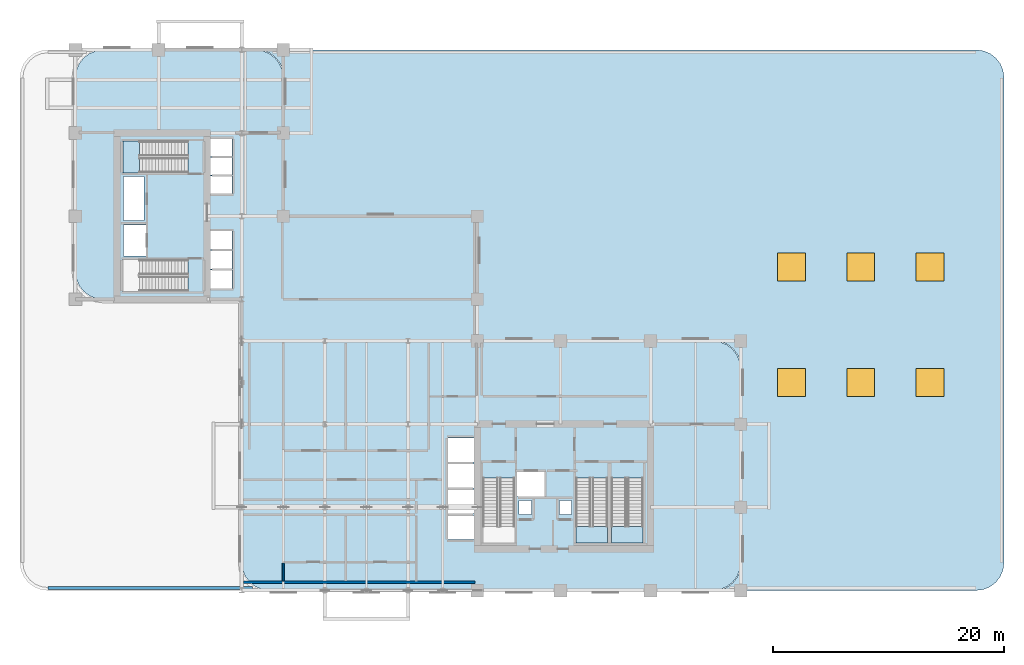
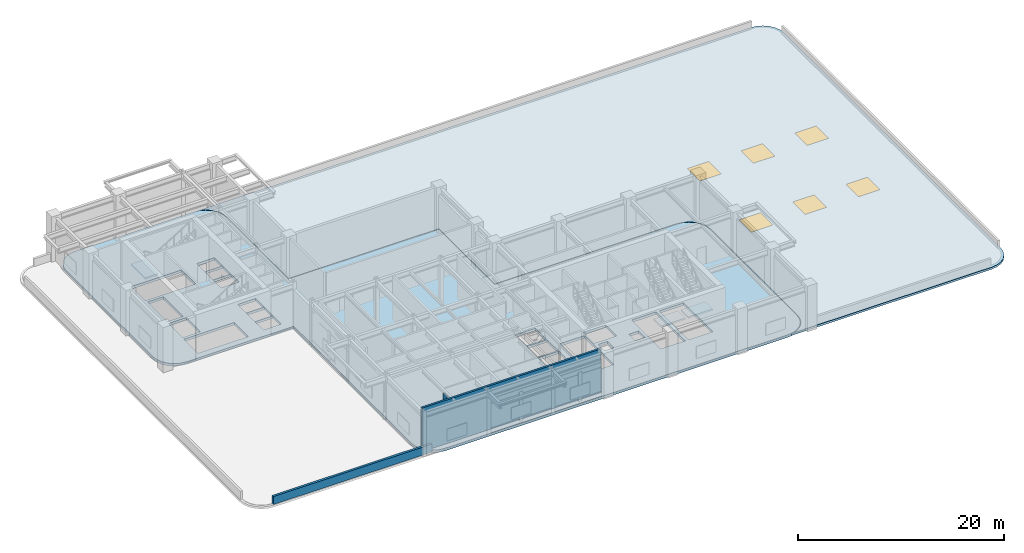
# One storey, part 5 of 14: 6 windows, 5 slabs, 3 walls, 6 openings, 3 elements without a shape of their own.
"""IFC4 building model written with IfcOpenShell, lengths in metres."""

from ifc_helpers import new_model, si_unit, derived_unit, direction, frame, frame_2d, origin, origin_2d, place, context, subcontext, project, spatial, polyline, rectangle, outline, extrude, material, layer, layer_set, type_object, element, fill, aggregate, save


model = new_model("IFC4")

# Units and contexts
model_context = context("Model", 3, precision=1e-05, world=origin(), true_north=direction((0.0, 1.0)))
body_context = subcontext(model_context, "Body", "Model", "MODEL_VIEW")
ifc_project = project(units=[si_unit("LENGTHUNIT", "METRE"), si_unit("AREAUNIT", "SQUARE_METRE"), si_unit("VOLUMEUNIT", "CUBIC_METRE"), si_unit("PLANEANGLEUNIT", "RADIAN"), si_unit("MASSUNIT", "GRAM", prefix="KILO"), si_unit("THERMODYNAMICTEMPERATUREUNIT", "KELVIN"), si_unit("POWERUNIT", "WATT"), derived_unit("THERMALTRANSMITTANCEUNIT", [(si_unit("POWERUNIT", "WATT"), 1), (si_unit("AREAUNIT", "SQUARE_METRE"), -1), (si_unit("THERMODYNAMICTEMPERATUREUNIT", "KELVIN"), -1)])], contexts=[model_context])

# Site, building, storey
site_placement = place(None, origin())
site = spatial("IfcSite", under=ifc_project, at=site_placement, CompositionType="ELEMENT")
building_placement = place(site_placement, origin())
building = spatial("IfcBuilding", under=site, at=building_placement, Name="Zahravan Archway Hotel and Residences", CompositionType="ELEMENT")
storey_placement = place(building_placement, frame((0.0, 0.0, 27.0)))
storey = spatial("IfcBuildingStorey", under=building, at=storey_placement, Name="L05", CompositionType="ELEMENT", Elevation=27.0)

# Slab
ifc_material_1 = material(Name="Concrete C50/60", Category="concrete")
ifc_layer_1 = layer(ifc_material_1, 0.300048828125, Name="Concrete C50/60", Category="concrete")
ifc_layer_set_1 = layer_set([ifc_layer_1], Name="Concrete C50/60")
slab_type_1 = type_object("IfcSlabType", Name="SLB-FLR-300", PredefinedType="FLOOR", material=ifc_layer_set_1)
slab_1_placement = place(storey_placement, frame((0.0, 0.0, -0.300048828125)))
element("IfcSlab", 1, at=slab_1_placement, inside=storey, type_object=slab_type_1, Name="L05 Floor Slab LB", PredefinedType="FLOOR", context=body_context, shape_type="SweptSolid", body=[
    extrude(outline(polyline([(34.800048828125, 21.60009765625), (34.800048828125, 32.39990234375), (18.0, 32.39990234375), (18.0, 44.39990234375), (17.918212890625, 45.021240234375), (17.678466796875, 45.60009765625), (17.297119140625, 46.09716796875), (16.800048828125, 46.478515625), (16.22119140625, 46.71826171875), (15.60009765625, 46.800048828125), (2.39990234375, 46.800048828125), (1.77880859375, 46.71826171875), (1.199951171875, 46.478515625), (0.702880859375, 46.09716796875), (0.321533203125, 45.60009765625), (0.081787109375, 45.021240234375), (0.0, 44.39990234375), (0.0, 27.60009765625), (0.081787109375, 26.978759765625), (0.321533203125, 26.39990234375), (0.702880859375, 25.90283203125), (1.199951171875, 25.521484375), (1.77880859375, 25.28173828125), (2.39990234375, 25.199951171875), (14.39990234375, 25.199951171875), (14.39990234375, 19.199951171875), (14.39990234375, 19.10009765625), (14.39990234375, 2.39990234375), (14.481689453125, 1.77880859375), (14.721435546875, 1.199951171875), (15.102783203125, 0.702880859375), (15.60009765625, 0.321533203125), (16.1787109375, 0.081787109375), (16.800048828125, 0.0), (55.199951171875, 0.0), (55.8212890625, 0.081787109375), (56.39990234375, 0.321533203125), (56.897216796875, 0.702880859375), (57.278564453125, 1.199951171875), (57.518310546875, 1.77880859375), (57.60009765625, 2.39990234375), (57.60009765625, 19.199951171875), (57.518310546875, 19.8212890625), (57.278564453125, 20.39990234375), (56.897216796875, 20.897216796875), (56.39990234375, 21.278564453125), (55.8212890625, 21.518310546875), (55.199951171875, 21.60009765625), (34.800048828125, 21.60009765625)]), holes=[polyline([(35.300048828125, 9.72998046875), (35.300048828125, 4.10009765625), (38.0400390625, 4.10009765625), (38.0400390625, 9.72998046875), (35.300048828125, 9.72998046875)]), polyline([(43.320068359375, 9.72998046875), (43.320068359375, 4.10009765625), (46.06005859375, 4.10009765625), (46.06005859375, 9.72998046875), (43.320068359375, 9.72998046875)]), polyline([(46.39990234375, 9.72998046875), (46.39990234375, 4.10009765625), (49.139892578125, 4.10009765625), (49.139892578125, 9.72998046875), (46.39990234375, 9.72998046875)]), polyline([(9.72998046875, 28.639892578125), (4.10009765625, 28.639892578125), (4.10009765625, 25.89990234375), (9.72998046875, 25.89990234375), (9.72998046875, 28.639892578125)]), polyline([(9.72998046875, 38.89990234375), (4.10009765625, 38.89990234375), (4.10009765625, 36.159912109375), (9.72998046875, 36.159912109375), (9.72998046875, 38.89990234375)]), polyline([(38.179931640625, 8.14990234375), (40.699951171875, 8.14990234375), (40.699951171875, 10.25), (38.179931640625, 10.25), (38.179931640625, 8.14990234375)]), polyline([(4.14990234375, 28.949951171875), (6.10009765625, 28.949951171875), (6.10009765625, 31.64990234375), (4.14990234375, 31.64990234375), (4.14990234375, 28.949951171875)]), polyline([(11.550048828125, 26.14990234375), (13.550048828125, 26.14990234375), (13.550048828125, 27.75), (11.550048828125, 27.75), (11.550048828125, 26.14990234375)]), polyline([(11.550048828125, 27.830078125), (13.550048828125, 27.830078125), (13.550048828125, 29.429931640625), (11.550048828125, 29.429931640625), (11.550048828125, 27.830078125)]), polyline([(11.550048828125, 29.510009765625), (13.550048828125, 29.510009765625), (13.550048828125, 31.110107421875), (11.550048828125, 31.110107421875), (11.550048828125, 29.510009765625)]), polyline([(11.550048828125, 34.35009765625), (13.550048828125, 34.35009765625), (13.550048828125, 35.889892578125), (11.550048828125, 35.889892578125), (11.550048828125, 34.35009765625)]), polyline([(11.550048828125, 35.949951171875), (13.550048828125, 35.949951171875), (13.550048828125, 37.489990234375), (11.550048828125, 37.489990234375), (11.550048828125, 35.949951171875)]), polyline([(11.550048828125, 37.550048828125), (13.550048828125, 37.550048828125), (13.550048828125, 39.090087890625), (11.550048828125, 39.090087890625), (11.550048828125, 37.550048828125)]), polyline([(32.25, 4.39990234375), (34.550048828125, 4.39990234375), (34.550048828125, 6.47998046875), (32.25, 6.47998046875), (32.25, 4.39990234375)]), polyline([(32.25, 6.639892578125), (34.550048828125, 6.639892578125), (34.550048828125, 8.719970703125), (32.25, 8.719970703125), (32.25, 6.639892578125)]), polyline([(32.25, 8.8798828125), (34.550048828125, 8.8798828125), (34.550048828125, 10.9599609375), (32.25, 10.9599609375), (32.25, 8.8798828125)]), polyline([(32.25, 11.1201171875), (34.550048828125, 11.1201171875), (34.550048828125, 13.199951171875), (32.25, 13.199951171875), (32.25, 11.1201171875)]), polyline([(38.419921875, 6.56005859375), (39.5, 6.56005859375), (39.5, 7.780029296875), (38.419921875, 7.780029296875), (38.419921875, 6.56005859375)]), polyline([(41.89990234375, 6.56005859375), (42.9599609375, 6.56005859375), (42.9599609375, 7.780029296875), (41.89990234375, 7.780029296875), (41.89990234375, 6.56005859375)]), polyline([(4.179931640625, 32.050048828125), (5.93994140625, 32.050048828125), (5.93994140625, 35.840087890625), (4.179931640625, 35.840087890625), (4.179931640625, 32.050048828125)])]), origin(), (0.0, 0.0, 1.0), 0.300048828125),
])

# Stair, slab
stair_type = type_object("IfcStairType", Name="STR-CORE-1300", PredefinedType="HALF_TURN_STAIR", material=ifc_material_1)
stair_1_placement = place(storey_placement, origin())
stair_1 = element("IfcStair", 2, at=stair_1_placement, inside=storey, type_object=stair_type, Name="L05 Core A Exit Stair 2", PredefinedType="HALF_TURN_STAIR")
ifc_layer_2 = layer(ifc_material_1, 0.199951171875, Name="Concrete C50/60", Category="concrete")
ifc_layer_set_2 = layer_set([ifc_layer_2], Name="Concrete C50/60")
slab_type_2 = type_object("IfcSlabType", Name="SLB-LND-200", PredefinedType="LANDING", material=ifc_layer_set_2)
slab_2_placement = place(storey_placement, frame((0.0, 0.0, 2.5)))
slab_2 = element("IfcSlab", 3, at=slab_2_placement, type_object=slab_type_2, Name="ST-A2 landing 1", PredefinedType="LANDING", context=body_context, shape_type="SweptSolid", body=[
    extrude(outline(polyline([(43.320068359375, 5.530029296875), (43.320068359375, 4.10009765625), (46.06005859375, 4.10009765625), (46.06005859375, 5.530029296875), (43.320068359375, 5.530029296875)])), origin(), (0.0, 0.0, 1.0), 0.199951171875),
])
aggregate(stair_1, [slab_2])

stair_2_placement = place(storey_placement, origin())
stair_2 = element("IfcStair", 4, at=stair_2_placement, inside=storey, type_object=stair_type, Name="L05 Core A Exit Stair 3", PredefinedType="HALF_TURN_STAIR")
slab_3_placement = place(storey_placement, frame((0.0, 0.0, 2.5)))
slab_3 = element("IfcSlab", 5, at=slab_3_placement, type_object=slab_type_2, Name="ST-A3 landing 1", PredefinedType="LANDING", context=body_context, shape_type="SweptSolid", body=[
    extrude(outline(polyline([(46.39990234375, 5.530029296875), (46.39990234375, 4.10009765625), (49.139892578125, 4.10009765625), (49.139892578125, 5.530029296875), (46.39990234375, 5.530029296875)])), origin(), (0.0, 0.0, 1.0), 0.199951171875),
])
aggregate(stair_2, [slab_3])

stair_3_placement = place(storey_placement, origin())
stair_3 = element("IfcStair", 6, at=stair_3_placement, inside=storey, type_object=stair_type, Name="L05 Core B Exit Stair 2", PredefinedType="HALF_TURN_STAIR")
slab_4_placement = place(storey_placement, frame((0.0, 0.0, 2.5)))
slab_4 = element("IfcSlab", 7, at=slab_4_placement, type_object=slab_type_2, Name="ST-B2 landing 1", PredefinedType="LANDING", context=body_context, shape_type="SweptSolid", body=[
    extrude(outline(polyline([(5.530029296875, 38.89990234375), (4.10009765625, 38.89990234375), (4.10009765625, 36.159912109375), (5.530029296875, 36.159912109375), (5.530029296875, 38.89990234375)])), origin(), (0.0, 0.0, 1.0), 0.199951171875),
])
aggregate(stair_3, [slab_4])

# Slab, openings, windows
ifc_material_2 = material(Name="Concrete C45/55", Category="concrete")
ifc_layer_3 = layer(ifc_material_2, 0.239990234375, Name="Concrete C45/55", Category="concrete")
ifc_layer_set_3 = layer_set([ifc_layer_3], Name="Concrete C45/55")
slab_type_3 = type_object("IfcSlabType", Name="SLB-ROOF-240", PredefinedType="ROOF", material=ifc_layer_set_3)
slab_5_placement = place(storey_placement, frame((0.0, 0.0, -0.239990234375)))
slab_5 = element("IfcSlab", 8, at=slab_5_placement, inside=storey, type_object=slab_type_3, Name="L05 Podium Roof Terrace Slab 1", PredefinedType="ROOF", context=body_context, shape_type="SweptSolid", body=[
    extrude(outline(polyline([(78.0, 46.800048828125), (78.62109375, 46.71826171875), (79.199951171875, 46.478515625), (79.697021484375, 46.09716796875), (80.07861328125, 45.60009765625), (80.318115234375, 45.021240234375), (80.39990234375, 44.39990234375), (80.39990234375, 2.39990234375), (80.318115234375, 1.77880859375), (80.07861328125, 1.199951171875), (79.697021484375, 0.702880859375), (79.199951171875, 0.321533203125), (78.62109375, 0.081787109375), (78.0, 0.0), (55.5830078125, 0.0), (55.82763671875, 0.0322265625), (55.83203125, 0.032958984375), (55.836181640625, 0.0341796875), (55.84033203125, 0.03564453125), (56.419189453125, 0.275390625), (56.423095703125, 0.277099609375), (56.427001953125, 0.279296875), (56.430419921875, 0.28173828125), (56.927490234375, 0.6630859375), (56.930908203125, 0.666015625), (56.93408203125, 0.669189453125), (56.936767578125, 0.672607421875), (57.318115234375, 1.169677734375), (57.32080078125, 1.173095703125), (57.322998046875, 1.177001953125), (57.32470703125, 1.180908203125), (57.564453125, 1.759765625), (57.56591796875, 1.763916015625), (57.56689453125, 1.76806640625), (57.56787109375, 1.772216796875), (57.649658203125, 2.3935546875), (57.64990234375, 2.39990234375), (57.64990234375, 19.199951171875), (57.649658203125, 19.20654296875), (57.56787109375, 19.82763671875), (57.56689453125, 19.83203125), (57.56591796875, 19.836181640625), (57.564453125, 19.84033203125), (57.32470703125, 20.419189453125), (57.322998046875, 20.423095703125), (57.32080078125, 20.427001953125), (57.318115234375, 20.430419921875), (56.936767578125, 20.927490234375), (56.93408203125, 20.930908203125), (56.930908203125, 20.93408203125), (56.927490234375, 20.936767578125), (56.430419921875, 21.318115234375), (56.427001953125, 21.32080078125), (56.423095703125, 21.322998046875), (56.419189453125, 21.32470703125), (55.84033203125, 21.564453125), (55.836181640625, 21.56591796875), (55.83203125, 21.56689453125), (55.82763671875, 21.56787109375), (55.20654296875, 21.649658203125), (55.199951171875, 21.64990234375), (34.85009765625, 21.64990234375), (34.85009765625, 32.39990234375), (34.849853515625, 32.40478515625), (34.84912109375, 32.409912109375), (34.847900390625, 32.41455078125), (34.84619140625, 32.419189453125), (34.843994140625, 32.423583984375), (34.841552734375, 32.427734375), (34.838623046875, 32.431640625), (34.83544921875, 32.435302734375), (34.831787109375, 32.438720703125), (34.827880859375, 32.441650390625), (34.823486328125, 32.444091796875), (34.819091796875, 32.4462890625), (34.814453125, 32.44775390625), (34.809814453125, 32.448974609375), (34.804931640625, 32.44970703125), (34.800048828125, 32.449951171875), (18.050048828125, 32.449951171875), (18.050048828125, 44.39990234375), (18.049560546875, 44.406494140625), (17.9677734375, 45.027587890625), (17.967041015625, 45.031982421875), (17.9658203125, 45.0361328125), (17.96435546875, 45.040283203125), (17.724609375, 45.619140625), (17.722900390625, 45.623046875), (17.720703125, 45.626953125), (17.71826171875, 45.63037109375), (17.3369140625, 46.12744140625), (17.333984375, 46.130859375), (17.330810546875, 46.134033203125), (17.327392578125, 46.13671875), (16.830322265625, 46.518310546875), (16.826904296875, 46.520751953125), (16.822998046875, 46.52294921875), (16.819091796875, 46.524658203125), (16.240234375, 46.764404296875), (16.236083984375, 46.765869140625), (16.23193359375, 46.76708984375), (16.227783203125, 46.767822265625), (15.98291015625, 46.800048828125), (78.0, 46.800048828125)])), origin(), (0.0, 0.0, 1.0), 0.239990234375),
])
opening_1_placement = place(slab_5_placement, frame((62.0, 18.0, -0.010009765625)))
opening_1 = element("IfcOpeningElement", 9, at=opening_1_placement, cuts=slab_5, Name="Opening SK-1", PredefinedType="OPENING", context=body_context, shape_type="SweptSolid", body=[
    extrude(rectangle(XDim=2.39990234375, YDim=2.39990234375, at=origin_2d()), origin(), (0.0, 0.0, 1.0), 0.260009765625),
])
opening_2_placement = place(slab_5_placement, frame((62.0, 28.0, -0.010009765625)))
opening_2 = element("IfcOpeningElement", 10, at=opening_2_placement, cuts=slab_5, Name="Opening SK-1", PredefinedType="OPENING", context=body_context, shape_type="SweptSolid", body=[
    extrude(rectangle(XDim=2.39990234375, YDim=2.39990234375, at=origin_2d()), origin(), (0.0, 0.0, 1.0), 0.260009765625),
])
opening_3_placement = place(slab_5_placement, frame((68.0, 18.0, -0.010009765625)))
opening_3 = element("IfcOpeningElement", 11, at=opening_3_placement, cuts=slab_5, Name="Opening SK-1", PredefinedType="OPENING", context=body_context, shape_type="SweptSolid", body=[
    extrude(rectangle(XDim=2.39990234375, YDim=2.39990234375, at=origin_2d()), origin(), (0.0, 0.0, 1.0), 0.260009765625),
])
opening_4_placement = place(slab_5_placement, frame((68.0, 28.0, -0.010009765625)))
opening_4 = element("IfcOpeningElement", 12, at=opening_4_placement, cuts=slab_5, Name="Opening SK-1", PredefinedType="OPENING", context=body_context, shape_type="SweptSolid", body=[
    extrude(rectangle(XDim=2.39990234375, YDim=2.39990234375, at=origin_2d()), origin(), (0.0, 0.0, 1.0), 0.260009765625),
])
opening_5_placement = place(slab_5_placement, frame((74.0, 18.0, -0.010009765625)))
opening_5 = element("IfcOpeningElement", 13, at=opening_5_placement, cuts=slab_5, Name="Opening SK-1", PredefinedType="OPENING", context=body_context, shape_type="SweptSolid", body=[
    extrude(rectangle(XDim=2.39990234375, YDim=2.39990234375, at=origin_2d()), origin(), (0.0, 0.0, 1.0), 0.260009765625),
])
opening_6_placement = place(slab_5_placement, frame((74.0, 28.0, -0.010009765625)))
opening_6 = element("IfcOpeningElement", 14, at=opening_6_placement, cuts=slab_5, Name="Opening SK-1", PredefinedType="OPENING", context=body_context, shape_type="SweptSolid", body=[
    extrude(rectangle(XDim=2.39990234375, YDim=2.39990234375, at=origin_2d()), origin(), (0.0, 0.0, 1.0), 0.260009765625),
])
ifc_material_3 = material(Name="Laminated Solar-Control Skylight Glazing", Category="glass")
window_type = type_object("IfcWindowType", Name="WIN-SKY-2400", PartitioningType="SINGLE_PANEL", PredefinedType="SKYLIGHT", material=ifc_material_3)
window_1_placement = place(slab_5_placement, frame((62.0, 18.0, 0.18994140625)))
window_1 = element("IfcWindow", 15, at=window_1_placement, inside=storey, type_object=window_type, Name="L05 Concourse Roof Skylight 1", OverallHeight=2.39990234375, OverallWidth=2.39990234375, PartitioningType="SINGLE_PANEL", PredefinedType="SKYLIGHT", context=body_context, shape_type="SweptSolid", body=[
    extrude(rectangle(XDim=2.39990234375, YDim=2.39990234375, at=origin_2d()), origin(), (0.0, 0.0, 1.0), 0.050048828125),
])
fill(opening_1, window_1)
window_2_placement = place(slab_5_placement, frame((62.0, 28.0, 0.18994140625)))
window_2 = element("IfcWindow", 16, at=window_2_placement, inside=storey, type_object=window_type, Name="L05 Concourse Roof Skylight 2", OverallHeight=2.39990234375, OverallWidth=2.39990234375, PartitioningType="SINGLE_PANEL", PredefinedType="SKYLIGHT", context=body_context, shape_type="SweptSolid", body=[
    extrude(rectangle(XDim=2.39990234375, YDim=2.39990234375, at=origin_2d()), origin(), (0.0, 0.0, 1.0), 0.050048828125),
])
fill(opening_2, window_2)
window_3_placement = place(slab_5_placement, frame((68.0, 18.0, 0.18994140625)))
window_3 = element("IfcWindow", 17, at=window_3_placement, inside=storey, type_object=window_type, Name="L05 Concourse Roof Skylight 3", OverallHeight=2.39990234375, OverallWidth=2.39990234375, PartitioningType="SINGLE_PANEL", PredefinedType="SKYLIGHT", context=body_context, shape_type="SweptSolid", body=[
    extrude(rectangle(XDim=2.39990234375, YDim=2.39990234375, at=origin_2d()), origin(), (0.0, 0.0, 1.0), 0.050048828125),
])
fill(opening_3, window_3)
window_4_placement = place(slab_5_placement, frame((68.0, 28.0, 0.18994140625)))
window_4 = element("IfcWindow", 18, at=window_4_placement, inside=storey, type_object=window_type, Name="L05 Concourse Roof Skylight 4", OverallHeight=2.39990234375, OverallWidth=2.39990234375, PartitioningType="SINGLE_PANEL", PredefinedType="SKYLIGHT", context=body_context, shape_type="SweptSolid", body=[
    extrude(rectangle(XDim=2.39990234375, YDim=2.39990234375, at=origin_2d()), origin(), (0.0, 0.0, 1.0), 0.050048828125),
])
fill(opening_4, window_4)
window_5_placement = place(slab_5_placement, frame((74.0, 18.0, 0.18994140625)))
window_5 = element("IfcWindow", 19, at=window_5_placement, inside=storey, type_object=window_type, Name="L05 Concourse Roof Skylight 5", OverallHeight=2.39990234375, OverallWidth=2.39990234375, PartitioningType="SINGLE_PANEL", PredefinedType="SKYLIGHT", context=body_context, shape_type="SweptSolid", body=[
    extrude(rectangle(XDim=2.39990234375, YDim=2.39990234375, at=origin_2d()), origin(), (0.0, 0.0, 1.0), 0.050048828125),
])
fill(opening_5, window_5)
window_6_placement = place(slab_5_placement, frame((74.0, 28.0, 0.18994140625)))
window_6 = element("IfcWindow", 20, at=window_6_placement, inside=storey, type_object=window_type, Name="L05 Concourse Roof Skylight 6", OverallHeight=2.39990234375, OverallWidth=2.39990234375, PartitioningType="SINGLE_PANEL", PredefinedType="SKYLIGHT", context=body_context, shape_type="SweptSolid", body=[
    extrude(rectangle(XDim=2.39990234375, YDim=2.39990234375, at=origin_2d()), origin(), (0.0, 0.0, 1.0), 0.050048828125),
])
fill(opening_6, window_6)

# Walls
ifc_material_4 = material(Name="Agra Buff Sandstone Coping Wall", Category="masonry")
ifc_layer_4 = layer(ifc_material_4, 0.25, Name="Agra Buff Sandstone Coping Wall", Category="masonry")
ifc_layer_set_4 = layer_set([ifc_layer_4], Name="Agra Buff Sandstone Coping Wall")
wall_type_1 = type_object("IfcWallType", Name="EW-PARA-250", PredefinedType="PARAPET", material=ifc_layer_set_4)
wall_1_placement = place(storey_placement, frame((15.34765625, 0.199951171875, 0.0), z_axis=(0.0, 0.0, 1.0), x_axis=(-1.0, 0.0, 0.0)))
element("IfcWall", 21, at=wall_1_placement, inside=storey, type_object=wall_type_1, Name="L05 Roof Coping Parapet 3", PredefinedType="PARAPET", context=body_context, shape_type="SweptSolid", body=[
    extrude(rectangle(XDim=17.734619140625, YDim=0.25, at=frame_2d((8.8671875, 0.0))), origin(), (0.0, 0.0, 1.0), 0.949951171875),
])
ifc_material_5 = material(Name="Fire-Rated Gypsum & Concrete Block", Category="concrete")
ifc_layer_5 = layer(ifc_material_5, 0.219970703125, Name="Fire-Rated Gypsum & Concrete Block", Category="concrete")
ifc_layer_set_5 = layer_set([ifc_layer_5], Name="Fire-Rated Gypsum & Concrete Block")
wall_type_2 = type_object("IfcWallType", Name="PW-COMP-220", PredefinedType="PARTITIONING", material=ifc_layer_set_5)
wall_2_placement = place(storey_placement, frame((14.55810546875, 0.719970703125, 0.0), z_axis=(0.0, 0.0, 1.0), x_axis=(1.0, 0.0, 0.0)))
element("IfcWall", 22, at=wall_2_placement, inside=storey, type_object=wall_type_2, Name="L05 Partition L05-RPSB", PredefinedType="PARTITIONING", context=body_context, shape_type="SweptSolid", body=[
    extrude(rectangle(XDim=20.052001953125, YDim=0.219970703125, at=frame_2d((10.02587890625, 0.0))), origin(), (0.0, 0.0, 1.0), 5.14990234375),
])
ifc_layer_6 = layer(ifc_material_5, 0.159912109375, Name="Fire-Rated Gypsum & Concrete Block", Category="concrete")
ifc_layer_set_6 = layer_set([ifc_layer_6], Name="Fire-Rated Gypsum & Concrete Block")
wall_type_3 = type_object("IfcWallType", Name="PW-CORR-160", PredefinedType="PARTITIONING", material=ifc_layer_set_6)
wall_3_placement = place(storey_placement, frame((18.0, 0.81005859375, 0.0), z_axis=(0.0, 0.0, 1.0), x_axis=(0.0, 1.0, 0.0)))
element("IfcWall", 23, at=wall_3_placement, inside=storey, type_object=wall_type_3, Name="L05 Partition L05-RSPW", PredefinedType="PARTITIONING", context=body_context, shape_type="SweptSolid", body=[
    extrude(rectangle(XDim=1.550048828125, YDim=0.159912109375, at=frame_2d((0.77490234375, 0.0))), origin(), (0.0, 0.0, 1.0), 4.68505859375),
])

save(model, "model.ifc")
